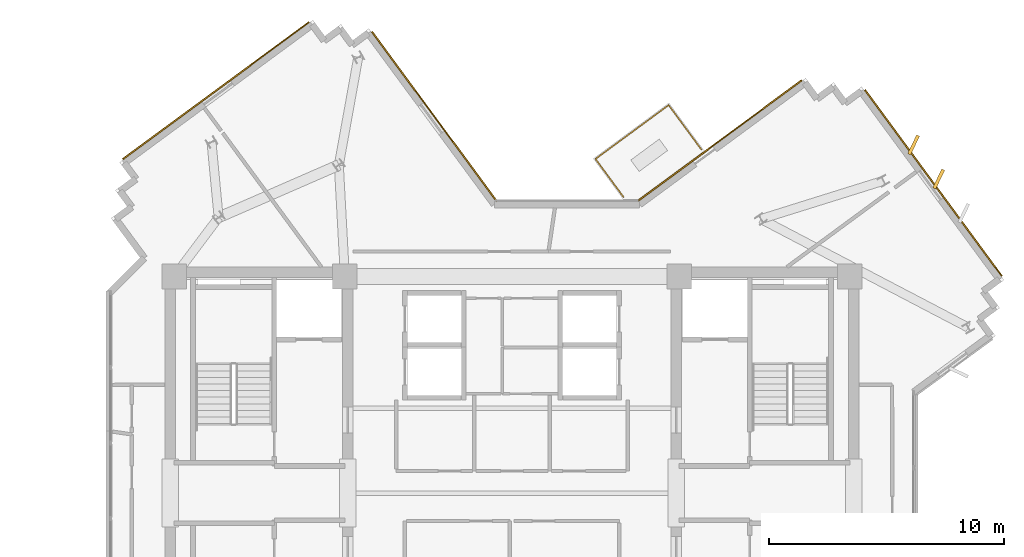
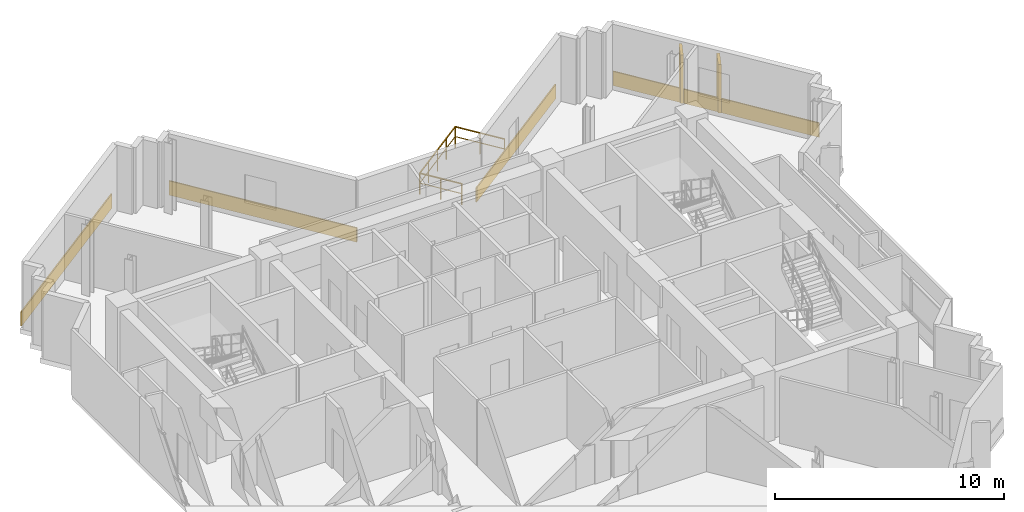
# One storey, part 13 of 13: 6 coverings, 3 railings.
"""IFC4 building model written with IfcOpenShell, lengths in metres."""

from ifc_helpers import new_model, si_unit, direction, frame, origin, origin_2d, place, context, subcontext, project, spatial, rectangle, extrude, source, transform, mapped, material, layer, layer_set, type_object, element, save


model = new_model("IFC4")

# Units and contexts
model_context = context("Model", 3, precision=1e-05, world=origin(), true_north=direction((0.0, 1.0)))
body_context = subcontext(model_context, "Body", "Model", "MODEL_VIEW")
ifc_project = project(units=[si_unit("LENGTHUNIT", "METRE"), si_unit("AREAUNIT", "SQUARE_METRE"), si_unit("VOLUMEUNIT", "CUBIC_METRE"), si_unit("PLANEANGLEUNIT", "RADIAN"), si_unit("MASSUNIT", "GRAM", prefix="KILO")], contexts=[model_context])

# Site, building, storey
site_placement = place(None, origin())
site = spatial("IfcSite", under=ifc_project, at=site_placement, CompositionType="ELEMENT")
building_placement = place(site_placement, origin())
building = spatial("IfcBuilding", under=site, at=building_placement, Name="Zahravan Cultural Tower", CompositionType="ELEMENT")
storey_placement = place(building_placement, frame((0.0, 0.0, 272.85009765625)))
storey = spatial("IfcBuildingStorey", under=building, at=storey_placement, Name="L65", CompositionType="ELEMENT", Elevation=272.85009765625)

# Railings
ifc_material_1 = material(Name="Steel ASTM A572 Grade 50", Category="steel")
railing_type = type_object("IfcRailingType", Name="RL-BAL-1150", PredefinedType="BALUSTRADE", material=ifc_material_1)
railing_1_placement = place(storey_placement, frame((39.547119140625, 41.1943359375, 0.0)))
element("IfcRailing", 1, at=railing_1_placement, inside=storey, type_object=railing_type, Name="L65 Edge Balustrade GRD-TR-L65-NE-01", PredefinedType="BALUSTRADE", context=body_context, shape_type="SweptSolid", body=[
    extrude(rectangle(XDim=0.05, YDim=0.05, at=origin_2d()), frame((0.0, 0.0, 1.125), z_axis=(0.805364143991, 0.592780394053, 0.0), x_axis=(-0.592780394053, 0.805364143991, 0.0)), (0.0, 0.0, 1.0), 3.85986328125),
    extrude(rectangle(XDim=0.032, YDim=0.032, at=origin_2d()), frame((0.0, 0.0, 0.597900390625), z_axis=(0.805364143991, 0.592780394053, 0.0), x_axis=(-0.592780394053, 0.805364143991, 0.0)), (0.0, 0.0, 1.0), 3.85986328125),
    extrude(rectangle(XDim=0.04, YDim=0.04, at=origin_2d()), origin(), (0.0, 0.0, 1.0), 1.14990234375),
    extrude(rectangle(XDim=0.04, YDim=0.04, at=origin_2d()), frame((0.777099609375, 0.572021484375, 0.0)), (0.0, 0.0, 1.0), 1.14990234375),
    extrude(rectangle(XDim=0.04, YDim=0.04, at=origin_2d()), frame((1.55419921875, 1.14404296875, 0.0)), (0.0, 0.0, 1.0), 1.14990234375),
    extrude(rectangle(XDim=0.04, YDim=0.04, at=origin_2d()), frame((2.33154296875, 1.716064453125, 0.0)), (0.0, 0.0, 1.0), 1.14990234375),
    extrude(rectangle(XDim=0.04, YDim=0.04, at=origin_2d()), frame((3.108642578125, 2.2880859375, 0.0)), (0.0, 0.0, 1.0), 1.14990234375),
])
railing_2_placement = place(storey_placement, frame((42.65576171875, 43.482421875, 0.0)))
element("IfcRailing", 2, at=railing_2_placement, inside=storey, type_object=railing_type, Name="L65 Edge Balustrade GRD-TR-L65-NE-02", PredefinedType="BALUSTRADE", context=body_context, shape_type="SweptSolid", body=[
    extrude(rectangle(XDim=0.05, YDim=0.05, at=origin_2d()), frame((0.0, 0.0, 1.125), z_axis=(0.592677984441, -0.805439511546, 0.0), x_axis=(0.805439511546, 0.592677984441, 0.0)), (0.0, 0.0, 1.0), 2.35009765625),
    extrude(rectangle(XDim=0.032, YDim=0.032, at=origin_2d()), frame((0.0, 0.0, 0.597900390625), z_axis=(0.592677984441, -0.805439511546, 0.0), x_axis=(0.805439511546, 0.592677984441, 0.0)), (0.0, 0.0, 1.0), 2.35009765625),
    extrude(rectangle(XDim=0.04, YDim=0.04, at=origin_2d()), origin(), (0.0, 0.0, 1.0), 1.14990234375),
    extrude(rectangle(XDim=0.04, YDim=0.04, at=origin_2d()), frame((0.6962890625, -0.9462890625, 0.0)), (0.0, 0.0, 1.0), 1.14990234375),
    extrude(rectangle(XDim=0.04, YDim=0.04, at=origin_2d()), frame((1.392822265625, -1.892822265625, 0.0)), (0.0, 0.0, 1.0), 1.14990234375),
])
railing_3_placement = place(storey_placement, frame((40.735107421875, 39.580078125, 0.0)))
element("IfcRailing", 3, at=railing_3_placement, inside=storey, type_object=railing_type, Name="L65 Edge Balustrade GRD-TR-L65-NE-03", PredefinedType="BALUSTRADE", context=body_context, shape_type="SweptSolid", body=[
    extrude(rectangle(XDim=0.05, YDim=0.05, at=origin_2d()), frame((0.0, 0.0, 1.125), z_axis=(-0.592725255874, 0.805404724998, 0.0), x_axis=(-0.805404724998, -0.592725255874, 0.0)), (0.0, 0.0, 1.0), 2.00439453125),
    extrude(rectangle(XDim=0.032, YDim=0.032, at=origin_2d()), frame((0.0, 0.0, 0.597900390625), z_axis=(-0.592725255874, 0.805404724998, 0.0), x_axis=(-0.805404724998, -0.592725255874, 0.0)), (0.0, 0.0, 1.0), 2.00439453125),
    extrude(rectangle(XDim=0.04, YDim=0.04, at=origin_2d()), origin(), (0.0, 0.0, 1.0), 1.14990234375),
    extrude(rectangle(XDim=0.04, YDim=0.04, at=origin_2d()), frame((-0.593994140625, 0.80712890625, 0.0)), (0.0, 0.0, 1.0), 1.14990234375),
    extrude(rectangle(XDim=0.04, YDim=0.04, at=origin_2d()), frame((-1.18798828125, 1.6142578125, 0.0)), (0.0, 0.0, 1.0), 1.14990234375),
])

# Coverings
ifc_material_2 = material(Name="Terracotta ceramic cladding", Category="masonry")
ifc_layer = layer(ifc_material_2, 0.06005859375)
ifc_layer_set = layer_set([ifc_layer], Name="Terracotta ceramic cladding")
covering_type = type_object("IfcCoveringType", Name="COV-CLAD-TC60", PredefinedType="CLADDING", material=ifc_layer_set)
shared_shape_1 = source(origin(), body_context, "Body", "SweptSolid", [
    extrude(rectangle(XDim=9.820068359375, YDim=0.06005859375, at=origin_2d()), origin(), (0.0, 0.0, 1.0), 0.760009765625),
])
for number, where, z_axis, x_axis, name in (
    (4, (53.900390625, 40.173095703125, 0.02001953125), (0.0, 0.0, 1.0), (0.592716258391, -0.80541134648, 0.0), "L65 Terracotta Spandrel Cladding 06"),
    (5, (23.419677734375, 44.094970703125, 0.02001953125), (0.0, 0.0, 1.0), (0.80541134648, 0.592716258391, 0.0), "L65 Terracotta Spandrel Cladding 42"),
):
    element("IfcCovering", number, at=place(storey_placement, frame(where, z_axis=z_axis, x_axis=x_axis)), inside=storey, type_object=covering_type, Name=name, PredefinedType="CLADDING", context=body_context, shape_type="MappedRepresentation", body=[
        mapped(shared_shape_1, transform((0.0, 0.0, 0.0), x_axis=(1.0, 0.0, 0.0), y_axis=(0.0, 1.0, 0.0), z_axis=(0.0, 0.0, 1.0), scale=1.0)),
    ])
shared_shape_2 = source(origin(), body_context, "Body", "SweptSolid", [
    extrude(rectangle(XDim=0.8798828125, YDim=0.139892578125, at=origin_2d()), origin(), (0.0, 0.0, 1.0), 2.580078125),
])
for number, where, z_axis, x_axis, name in (
    (6, (53.06298828125, 41.791748046875, 0.0498046875), (0.0, 0.0, 1.0), (0.43287258152, 0.901455117112, 0.0), "L65 Herringbone Terracotta Fin 01"),
    (7, (54.1298828125, 40.342041015625, 0.0498046875), (0.0, 0.0, 1.0), (0.43287258152, 0.901455117112, 0.0), "L65 Herringbone Terracotta Fin 02"),
):
    element("IfcCovering", number, at=place(storey_placement, frame(where, z_axis=z_axis, x_axis=x_axis)), inside=storey, type_object=covering_type, Name=name, PredefinedType="CLADDING", context=body_context, shape_type="MappedRepresentation", body=[
        mapped(shared_shape_2, transform((0.0, 0.0, 0.0), x_axis=(1.0, 0.0, 0.0), y_axis=(0.0, 1.0, 0.0), z_axis=(0.0, 0.0, 1.0), scale=1.0)),
    ])
shared_shape_3 = source(origin(), body_context, "Body", "SweptSolid", [
    extrude(rectangle(XDim=8.62548828125, YDim=0.06005859375, at=origin_2d()), origin(), (0.0, 0.0, 1.0), 0.760009765625),
])
covering_1_placement = place(storey_placement, frame((44.839111328125, 41.978759765625, 0.02001953125), z_axis=(0.0, 0.0, 1.0), x_axis=(0.80541134648, 0.592716258391, 0.0)))
element("IfcCovering", 8, at=covering_1_placement, inside=storey, type_object=covering_type, Name="L65 Terracotta Spandrel Cladding 01", PredefinedType="CLADDING", context=body_context, shape_type="MappedRepresentation", body=[
    mapped(shared_shape_3, transform((0.0, 0.0, 0.0), x_axis=(1.0, 0.0, 0.0), y_axis=(0.0, 1.0, 0.0), z_axis=(0.0, 0.0, 1.0), scale=1.0)),
])
shared_shape_4 = source(origin(), body_context, "Body", "SweptSolid", [
    extrude(rectangle(XDim=8.939208984375, YDim=0.06005859375, at=origin_2d()), origin(), (0.0, 0.0, 1.0), 0.760009765625),
])
covering_2_placement = place(storey_placement, frame((32.70068359375, 42.997802734375, 0.02001953125), z_axis=(0.0, 0.0, 1.0), x_axis=(0.592716258391, -0.80541134648, 0.0)))
element("IfcCovering", 9, at=covering_2_placement, inside=storey, type_object=covering_type, Name="L65 Terracotta Spandrel Cladding 47", PredefinedType="CLADDING", context=body_context, shape_type="MappedRepresentation", body=[
    mapped(shared_shape_4, transform((0.0, 0.0, 0.0), x_axis=(1.0, 0.0, 0.0), y_axis=(0.0, 1.0, 0.0), z_axis=(0.0, 0.0, 1.0), scale=1.0)),
])

save(model, "model.ifc")
